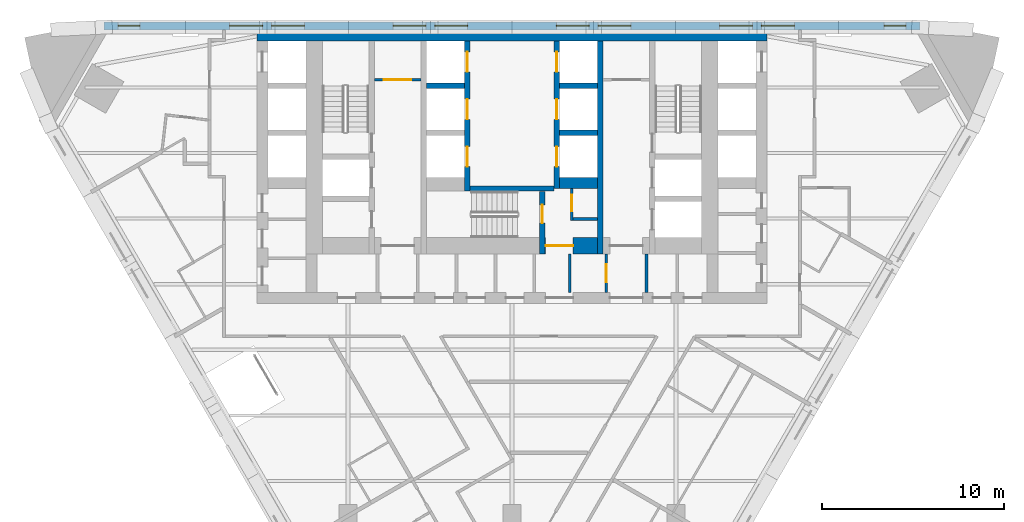
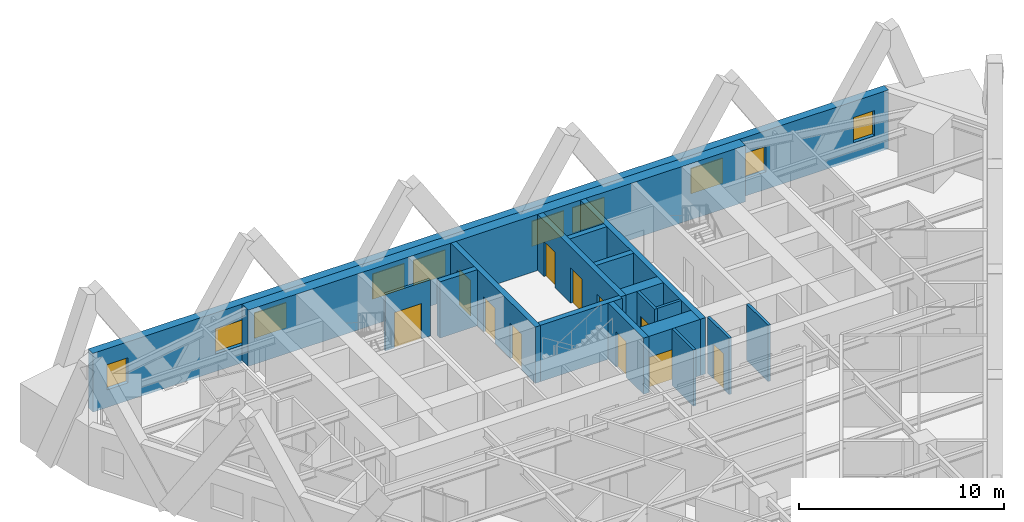
# One storey, part 8 of 12: 18 walls, 11 doors, 10 windows, 21 openings.
"""IFC4 building model written with IfcOpenShell, lengths in metres."""

from ifc_helpers import new_model, si_unit, direction, frame, frame_2d, origin, place, context, subcontext, project, spatial, polyline, rectangle, outline, extrude, material, layer, layer_set, type_object, element, fill, save


model = new_model("IFC4")

# Units and contexts
model_context = context("Model", 3, precision=1e-05, world=origin(), true_north=direction((0.0, 1.0)))
body_context = subcontext(model_context, "Body", "Model", "MODEL_VIEW")
ifc_project = project(units=[si_unit("LENGTHUNIT", "METRE"), si_unit("AREAUNIT", "SQUARE_METRE"), si_unit("VOLUMEUNIT", "CUBIC_METRE"), si_unit("PLANEANGLEUNIT", "RADIAN"), si_unit("MASSUNIT", "GRAM", prefix="KILO")], contexts=[model_context])

# Site, building, storey
site_placement = place(None, origin())
site = spatial("IfcSite", under=ifc_project, at=site_placement, CompositionType="ELEMENT")
building_placement = place(site_placement, origin())
building = spatial("IfcBuilding", under=site, at=building_placement, Name="Aloe Facet Convention Tower", CompositionType="ELEMENT")
storey_placement = place(building_placement, frame((0.0, 0.0, 56.0)))
storey = spatial("IfcBuildingStorey", under=building, at=storey_placement, Name="L12", CompositionType="ELEMENT", Elevation=56.0)

# Wall, opening, door
ifc_material_1 = material(Name="Concrete blockwork partition", Category="masonry")
ifc_layer_1 = layer(ifc_material_1, 0.14990234375)
ifc_layer_set_1 = layer_set([ifc_layer_1], Name="CR-W-PART150")
wall_type_1 = type_object("IfcWallType", Name="CR-W-PART150", PredefinedType="PARTITIONING", material=ifc_layer_set_1)
wall_1_placement = place(storey_placement, frame((72.449951171875, 131.824951171875, 0.0), z_axis=(0.0, 0.0, 1.0), x_axis=(1.0, 0.0, 0.0)))
wall_1 = element("IfcWall", 1, at=wall_1_placement, inside=storey, type_object=wall_type_1, Name="Core partition L12-015", PredefinedType="PARTITIONING", context=body_context, shape_type="SweptSolid", body=[
    extrude(rectangle(XDim=2.550048828125, YDim=0.14990234375, at=frame_2d((1.27490234375, 0.0))), origin(), (0.0, 0.0, 1.0), 3.35009765625),
])
opening_1_placement = place(wall_1_placement, frame((0.52490234375, 0.0, 0.0)))
opening_1 = element("IfcOpeningElement", 2, at=opening_1_placement, cuts=wall_1, Name="Opening L12-CD22", PredefinedType="OPENING", context=body_context, shape_type="SweptSolid", body=[
    extrude(rectangle(XDim=1.5, YDim=2.10009765625, at=frame_2d((0.75, 1.050048828125))), frame((0.0, 0.0849609375, 0.0), z_axis=(0.0, -1.0, 0.0), x_axis=(1.0, 0.0, 0.0)), (0.0, 0.0, 1.0), 0.169921875),
])
ifc_material_2 = material(Name="Steel fire-resisting door set FD60", Category="steel")
door_type_1 = type_object("IfcDoorType", Name="CR-D-REFUGE-1500-FD60-DD", OperationType="DOUBLE_DOOR_DOUBLE_SWING", PredefinedType="DOOR", material=ifc_material_2)
door_1_placement = place(opening_1_placement, origin())
door_1 = element("IfcDoor", 3, at=door_1_placement, inside=storey, type_object=door_type_1, Name="Core door L12-CD22", OperationType="DOUBLE_DOOR_DOUBLE_SWING", OverallHeight=2.10009765625, OverallWidth=1.5, PredefinedType="DOOR", context=body_context, shape_type="SweptSolid", body=[
    extrude(rectangle(XDim=1.5, YDim=2.10009765625, at=frame_2d((0.75, 1.050048828125))), frame((0.0, 0.02490234375, 0.0), z_axis=(0.0, -1.0, 0.0), x_axis=(1.0, 0.0, 0.0)), (0.0, 0.0, 1.0), 0.050048828125),
])
fill(opening_1, door_1)

# Wall
wall_2_placement = place(storey_placement, frame((83.175048828125, 122.25, 0.0), z_axis=(0.0, 0.0, 1.0), x_axis=(0.0, -1.0, 0.0)))
element("IfcWall", 4, at=wall_2_placement, inside=storey, type_object=wall_type_1, Name="Core partition L12-035", PredefinedType="PARTITIONING", context=body_context, shape_type="SweptSolid", body=[
    extrude(rectangle(XDim=2.10009765625, YDim=0.14990234375, at=frame_2d((1.050048828125, 0.0))), origin(), (0.0, 0.0, 1.0), 3.35009765625),
])

# Wall, opening, door
wall_3_placement = place(storey_placement, frame((83.27490234375, 125.85009765625, 0.0), z_axis=(0.0, 0.0, 1.0), x_axis=(0.0, -1.0, 0.0)))
wall_3 = element("IfcWall", 5, at=wall_3_placement, inside=storey, type_object=wall_type_1, Name="Core partition L12-036", PredefinedType="PARTITIONING", context=body_context, shape_type="SweptSolid", body=[
    extrude(rectangle(XDim=1.75, YDim=0.14990234375, at=frame_2d((0.875, 0.0))), origin(), (0.0, 0.0, 1.0), 3.35009765625),
])
opening_2_placement = place(wall_3_placement, frame((0.35009765625, 0.0, 0.0)))
opening_2 = element("IfcOpeningElement", 6, at=opening_2_placement, cuts=wall_3, Name="Opening L12-CD20", PredefinedType="OPENING", context=body_context, shape_type="SweptSolid", body=[
    extrude(rectangle(XDim=0.89990234375, YDim=2.10009765625, at=frame_2d((0.449951171875, 1.050048828125))), frame((0.0, 0.0849609375, 0.0), z_axis=(0.0, -1.0, 0.0), x_axis=(1.0, 0.0, 0.0)), (0.0, 0.0, 1.0), 0.169921875),
])
ifc_material_3 = material(Name="Steel fire-resisting door set FD60", Category="steel")
door_type_2 = type_object("IfcDoorType", Name="CR-D-REFUGE-900-FD60-SRIGHT", OperationType="SINGLE_SWING_RIGHT", PredefinedType="DOOR", material=ifc_material_3)
door_2_placement = place(opening_2_placement, origin())
door_2 = element("IfcDoor", 7, at=door_2_placement, inside=storey, type_object=door_type_2, Name="Core door L12-CD20", OperationType="SINGLE_SWING_RIGHT", OverallHeight=2.10009765625, OverallWidth=0.89990234375, PredefinedType="DOOR", context=body_context, shape_type="SweptSolid", body=[
    extrude(rectangle(XDim=0.89990234375, YDim=2.10009765625, at=frame_2d((0.449951171875, 1.050048828125))), frame((0.0, 0.02490234375, 0.0), z_axis=(0.0, -1.0, 0.0), x_axis=(1.0, 0.0, 0.0)), (0.0, 0.0, 1.0), 0.050048828125),
])
fill(opening_2, door_2)

# Wall
wall_4_placement = place(storey_placement, frame((83.35009765625, 124.175048828125, 0.0), z_axis=(0.0, 0.0, 1.0), x_axis=(1.0, 0.0, 0.0)))
element("IfcWall", 8, at=wall_4_placement, inside=storey, type_object=wall_type_1, Name="Core partition L12-037", PredefinedType="PARTITIONING", context=body_context, shape_type="SweptSolid", body=[
    extrude(rectangle(XDim=1.349853515625, YDim=0.14990234375, at=frame_2d((0.6748046875, 0.0))), origin(), (0.0, 0.0, 1.0), 3.35009765625),
])

# Wall, opening, door
wall_5_placement = place(storey_placement, frame((85.175048828125, 122.25, 0.0), z_axis=(0.0, 0.0, 1.0), x_axis=(0.0, -1.0, 0.0)))
wall_5 = element("IfcWall", 9, at=wall_5_placement, inside=storey, type_object=wall_type_1, Name="Core partition L12-041", PredefinedType="PARTITIONING", context=body_context, shape_type="SweptSolid", body=[
    extrude(rectangle(XDim=2.10009765625, YDim=0.14990234375, at=frame_2d((1.050048828125, 0.0))), origin(), (0.0, 0.0, 1.0), 3.35009765625),
])
opening_3_placement = place(wall_5_placement, frame((0.550048828125, 0.0, 0.0)))
opening_3 = element("IfcOpeningElement", 10, at=opening_3_placement, cuts=wall_5, Name="Opening L12-CD28", PredefinedType="OPENING", context=body_context, shape_type="SweptSolid", body=[
    extrude(rectangle(XDim=1.0, YDim=2.10009765625, at=frame_2d((0.5, 1.050048828125))), frame((0.0, 0.0849609375, 0.0), z_axis=(0.0, -1.0, 0.0), x_axis=(1.0, 0.0, 0.0)), (0.0, 0.0, 1.0), 0.169921875),
])
ifc_material_4 = material(Name="Steel fire-resisting door set FD60", Category="steel")
door_type_3 = type_object("IfcDoorType", Name="CR-D-ROOM-1000-FD60-SRIGHT", OperationType="SINGLE_SWING_RIGHT", PredefinedType="DOOR", material=ifc_material_4)
door_3_placement = place(opening_3_placement, origin())
door_3 = element("IfcDoor", 11, at=door_3_placement, inside=storey, type_object=door_type_3, Name="Core door L12-CD28", OperationType="SINGLE_SWING_RIGHT", OverallHeight=2.10009765625, OverallWidth=1.0, PredefinedType="DOOR", context=body_context, shape_type="SweptSolid", body=[
    extrude(rectangle(XDim=1.0, YDim=2.10009765625, at=frame_2d((0.5, 1.050048828125))), frame((0.0, 0.02490234375, 0.0), z_axis=(0.0, -1.0, 0.0), x_axis=(1.0, 0.0, 0.0)), (0.0, 0.0, 1.0), 0.050048828125),
])
fill(opening_3, door_3)

# Walls
wall_6_placement = place(storey_placement, frame((87.375, 122.25, 0.0), z_axis=(0.0, 0.0, 1.0), x_axis=(0.0, -1.0, 0.0)))
element("IfcWall", 12, at=wall_6_placement, inside=storey, type_object=wall_type_1, Name="Core partition L12-042", PredefinedType="PARTITIONING", context=body_context, shape_type="SweptSolid", body=[
    extrude(rectangle(XDim=2.10009765625, YDim=0.14990234375, at=frame_2d((1.050048828125, 0.0))), origin(), (0.0, 0.0, 1.0), 3.35009765625),
])
ifc_material_5 = material(Name="Concrete C80/95", Category="concrete")
ifc_layer_2 = layer(ifc_material_5, 0.300048828125)
ifc_layer_set_2 = layer_set([ifc_layer_2], Name="CR-W-RC300-C8095")
wall_type_2 = type_object("IfcWallType", Name="CR-W-RC300-C8095", PredefinedType="SOLIDWALL", material=ifc_layer_set_2)
wall_7_placement = place(storey_placement, frame((75.300048828125, 131.5, 0.0), z_axis=(0.0, 0.0, 1.0), x_axis=(1.0, 0.0, 0.0)))
element("IfcWall", 13, at=wall_7_placement, inside=storey, type_object=wall_type_2, Name="Core wall L12-020", PredefinedType="SOLIDWALL", context=body_context, shape_type="SweptSolid", body=[
    extrude(rectangle(XDim=2.099853515625, YDim=0.300048828125, at=frame_2d((1.0498046875, 0.0))), origin(), (0.0, 0.0, 1.0), 3.35009765625),
])

# Wall, openings, doors
wall_8_placement = place(storey_placement, frame((77.550048828125, 133.949951171875, 0.0), z_axis=(0.0, 0.0, 1.0), x_axis=(0.0, -1.0, 0.0)))
wall_8 = element("IfcWall", 14, at=wall_8_placement, inside=storey, type_object=wall_type_2, Name="Core wall L12-025", PredefinedType="SOLIDWALL", context=body_context, shape_type="SweptSolid", body=[
    extrude(rectangle(XDim=8.25, YDim=0.300048828125, at=frame_2d((4.125, 0.0))), origin(), (0.0, 0.0, 1.0), 3.35009765625),
])
opening_4_placement = place(wall_8_placement, frame((0.60009765625, 0.0, 0.0)))
opening_4 = element("IfcOpeningElement", 15, at=opening_4_placement, cuts=wall_8, Name="Opening LD-A1-L12", PredefinedType="OPENING", context=body_context, shape_type="SweptSolid", body=[
    extrude(rectangle(XDim=1.10009765625, YDim=2.10009765625, at=frame_2d((0.550048828125, 1.050048828125))), frame((0.0, 0.16015625, 0.0), z_axis=(0.0, -1.0, 0.0), x_axis=(1.0, 0.0, 0.0)), (0.0, 0.0, 1.0), 0.320068359375),
])
opening_5_placement = place(wall_8_placement, frame((3.199951171875, 0.0, 0.0)))
opening_5 = element("IfcOpeningElement", 16, at=opening_5_placement, cuts=wall_8, Name="Opening LD-A2-L12", PredefinedType="OPENING", context=body_context, shape_type="SweptSolid", body=[
    extrude(rectangle(XDim=1.10009765625, YDim=2.10009765625, at=frame_2d((0.550048828125, 1.050048828125))), frame((0.0, 0.16015625, 0.0), z_axis=(0.0, -1.0, 0.0), x_axis=(1.0, 0.0, 0.0)), (0.0, 0.0, 1.0), 0.320068359375),
])
opening_6_placement = place(wall_8_placement, frame((5.800048828125, 0.0, 0.0)))
opening_6 = element("IfcOpeningElement", 17, at=opening_6_placement, cuts=wall_8, Name="Opening LD-A3-L12", PredefinedType="OPENING", context=body_context, shape_type="SweptSolid", body=[
    extrude(rectangle(XDim=1.10009765625, YDim=2.10009765625, at=frame_2d((0.550048828125, 1.050048828125))), frame((0.0, 0.16015625, 0.0), z_axis=(0.0, -1.0, 0.0), x_axis=(1.0, 0.0, 0.0)), (0.0, 0.0, 1.0), 0.320068359375),
])
ifc_material_6 = material(Name="Stainless steel sliding landing door", Category="steel")
door_type_4 = type_object("IfcDoorType", Name="CR-LD-1100-FD60-RIGHT", OperationType="SLIDING_TO_RIGHT", PredefinedType="DOOR", material=ifc_material_6)
door_4_placement = place(opening_4_placement, origin())
door_4 = element("IfcDoor", 18, at=door_4_placement, inside=storey, type_object=door_type_4, Name="Landing door A1 L12", OperationType="SLIDING_TO_RIGHT", OverallHeight=2.10009765625, OverallWidth=1.10009765625, PredefinedType="DOOR", context=body_context, shape_type="SweptSolid", body=[
    extrude(rectangle(XDim=1.10009765625, YDim=2.10009765625, at=frame_2d((0.550048828125, 1.050048828125))), frame((0.0, 0.02490234375, 0.0), z_axis=(0.0, -1.0, 0.0), x_axis=(1.0, 0.0, 0.0)), (0.0, 0.0, 1.0), 0.050048828125),
])
fill(opening_4, door_4)
door_5_placement = place(opening_5_placement, origin())
door_5 = element("IfcDoor", 19, at=door_5_placement, inside=storey, type_object=door_type_4, Name="Landing door A2 L12", OperationType="SLIDING_TO_RIGHT", OverallHeight=2.10009765625, OverallWidth=1.10009765625, PredefinedType="DOOR", context=body_context, shape_type="SweptSolid", body=[
    extrude(rectangle(XDim=1.10009765625, YDim=2.10009765625, at=frame_2d((0.550048828125, 1.050048828125))), frame((0.0, 0.02490234375, 0.0), z_axis=(0.0, -1.0, 0.0), x_axis=(1.0, 0.0, 0.0)), (0.0, 0.0, 1.0), 0.050048828125),
])
fill(opening_5, door_5)
door_6_placement = place(opening_6_placement, origin())
door_6 = element("IfcDoor", 20, at=door_6_placement, inside=storey, type_object=door_type_4, Name="Landing door A3 L12", OperationType="SLIDING_TO_RIGHT", OverallHeight=2.10009765625, OverallWidth=1.10009765625, PredefinedType="DOOR", context=body_context, shape_type="SweptSolid", body=[
    extrude(rectangle(XDim=1.10009765625, YDim=2.10009765625, at=frame_2d((0.550048828125, 1.050048828125))), frame((0.0, 0.02490234375, 0.0), z_axis=(0.0, -1.0, 0.0), x_axis=(1.0, 0.0, 0.0)), (0.0, 0.0, 1.0), 0.050048828125),
])
fill(opening_6, door_6)

# Wall
wall_9_placement = place(storey_placement, frame((77.699951171875, 125.85009765625, 0.0), z_axis=(0.0, 0.0, 1.0), x_axis=(1.0, 0.0, 0.0)))
element("IfcWall", 21, at=wall_9_placement, inside=storey, type_object=wall_type_2, Name="Core wall L12-026", PredefinedType="SOLIDWALL", context=body_context, shape_type="SweptSolid", body=[
    extrude(rectangle(XDim=4.60009765625, YDim=0.300048828125, at=frame_2d((2.300048828125, 0.0))), origin(), (0.0, 0.0, 1.0), 3.35009765625),
])

# Wall, opening, door
wall_10_placement = place(storey_placement, frame((81.64990234375, 125.699951171875, 0.0), z_axis=(0.0, 0.0, 1.0), x_axis=(0.0, -1.0, 0.0)))
wall_10 = element("IfcWall", 22, at=wall_10_placement, inside=storey, type_object=wall_type_2, Name="Core wall L12-029", PredefinedType="SOLIDWALL", context=body_context, shape_type="SweptSolid", body=[
    extrude(rectangle(XDim=3.449951171875, YDim=0.300048828125, at=frame_2d((1.72509765625, 0.0))), origin(), (0.0, 0.0, 1.0), 3.35009765625),
])
opening_7_placement = place(wall_10_placement, frame((0.75, 0.0, 0.0)))
opening_7 = element("IfcOpeningElement", 23, at=opening_7_placement, cuts=wall_10, Name="Opening L12-CD33", PredefinedType="OPENING", context=body_context, shape_type="SweptSolid", body=[
    extrude(rectangle(XDim=1.0, YDim=2.10009765625, at=frame_2d((0.5, 1.050048828125))), frame((0.0, 0.16015625, 0.0), z_axis=(0.0, -1.0, 0.0), x_axis=(1.0, 0.0, 0.0)), (0.0, 0.0, 1.0), 0.320068359375),
])
ifc_material_7 = material(Name="Steel fire-resisting door set FD120", Category="steel")
door_type_5 = type_object("IfcDoorType", Name="CR-D-STAIR-1000-FD120-SLEFT", OperationType="SINGLE_SWING_LEFT", PredefinedType="DOOR", material=ifc_material_7)
door_7_placement = place(opening_7_placement, origin())
door_7 = element("IfcDoor", 24, at=door_7_placement, inside=storey, type_object=door_type_5, Name="Core door L12-CD33", OperationType="SINGLE_SWING_LEFT", OverallHeight=2.10009765625, OverallWidth=1.0, PredefinedType="DOOR", context=body_context, shape_type="SweptSolid", body=[
    extrude(rectangle(XDim=1.0, YDim=2.10009765625, at=frame_2d((0.5, 1.050048828125))), frame((0.0, 0.02490234375, 0.0), z_axis=(0.0, -1.0, 0.0), x_axis=(1.0, 0.0, 0.0)), (0.0, 0.0, 1.0), 0.050048828125),
])
fill(opening_7, door_7)

# Wall, openings, doors
wall_11_placement = place(storey_placement, frame((82.449951171875, 133.949951171875, 0.0), z_axis=(0.0, 0.0, 1.0), x_axis=(0.0, -1.0, 0.0)))
wall_11 = element("IfcWall", 25, at=wall_11_placement, inside=storey, type_object=wall_type_2, Name="Core wall L12-031", PredefinedType="SOLIDWALL", context=body_context, shape_type="SweptSolid", body=[
    extrude(rectangle(XDim=8.099853515625, YDim=0.300048828125, at=frame_2d((4.0498046875, 0.0))), origin(), (0.0, 0.0, 1.0), 3.35009765625),
])
opening_8_placement = place(wall_11_placement, frame((0.60009765625, 0.0, 0.0)))
opening_8 = element("IfcOpeningElement", 26, at=opening_8_placement, cuts=wall_11, Name="Opening LD-A4-L12", PredefinedType="OPENING", context=body_context, shape_type="SweptSolid", body=[
    extrude(rectangle(XDim=1.10009765625, YDim=2.10009765625, at=frame_2d((0.550048828125, 1.050048828125))), frame((0.0, 0.16015625, 0.0), z_axis=(0.0, -1.0, 0.0), x_axis=(1.0, 0.0, 0.0)), (0.0, 0.0, 1.0), 0.320068359375),
])
opening_9_placement = place(wall_11_placement, frame((3.199951171875, 0.0, 0.0)))
opening_9 = element("IfcOpeningElement", 27, at=opening_9_placement, cuts=wall_11, Name="Opening LD-A5-L12", PredefinedType="OPENING", context=body_context, shape_type="SweptSolid", body=[
    extrude(rectangle(XDim=1.10009765625, YDim=2.10009765625, at=frame_2d((0.550048828125, 1.050048828125))), frame((0.0, 0.16015625, 0.0), z_axis=(0.0, -1.0, 0.0), x_axis=(1.0, 0.0, 0.0)), (0.0, 0.0, 1.0), 0.320068359375),
])
opening_10_placement = place(wall_11_placement, frame((5.800048828125, 0.0, 0.0)))
opening_10 = element("IfcOpeningElement", 28, at=opening_10_placement, cuts=wall_11, Name="Opening LD-A6-L12", PredefinedType="OPENING", context=body_context, shape_type="SweptSolid", body=[
    extrude(rectangle(XDim=1.10009765625, YDim=2.10009765625, at=frame_2d((0.550048828125, 1.050048828125))), frame((0.0, 0.16015625, 0.0), z_axis=(0.0, -1.0, 0.0), x_axis=(1.0, 0.0, 0.0)), (0.0, 0.0, 1.0), 0.320068359375),
])
ifc_material_8 = material(Name="Stainless steel sliding landing door", Category="steel")
door_type_6 = type_object("IfcDoorType", Name="CR-LD-1100-FD60-_LEFT", OperationType="SLIDING_TO_LEFT", PredefinedType="DOOR", material=ifc_material_8)
door_8_placement = place(opening_8_placement, origin())
door_8 = element("IfcDoor", 29, at=door_8_placement, inside=storey, type_object=door_type_6, Name="Landing door A4 L12", OperationType="SLIDING_TO_LEFT", OverallHeight=2.10009765625, OverallWidth=1.10009765625, PredefinedType="DOOR", context=body_context, shape_type="SweptSolid", body=[
    extrude(rectangle(XDim=1.10009765625, YDim=2.10009765625, at=frame_2d((0.550048828125, 1.050048828125))), frame((0.0, 0.02490234375, 0.0), z_axis=(0.0, -1.0, 0.0), x_axis=(1.0, 0.0, 0.0)), (0.0, 0.0, 1.0), 0.050048828125),
])
fill(opening_8, door_8)
door_9_placement = place(opening_9_placement, origin())
door_9 = element("IfcDoor", 30, at=door_9_placement, inside=storey, type_object=door_type_6, Name="Landing door A5 L12", OperationType="SLIDING_TO_LEFT", OverallHeight=2.10009765625, OverallWidth=1.10009765625, PredefinedType="DOOR", context=body_context, shape_type="SweptSolid", body=[
    extrude(rectangle(XDim=1.10009765625, YDim=2.10009765625, at=frame_2d((0.550048828125, 1.050048828125))), frame((0.0, 0.02490234375, 0.0), z_axis=(0.0, -1.0, 0.0), x_axis=(1.0, 0.0, 0.0)), (0.0, 0.0, 1.0), 0.050048828125),
])
fill(opening_9, door_9)
door_10_placement = place(opening_10_placement, origin())
door_10 = element("IfcDoor", 31, at=door_10_placement, inside=storey, type_object=door_type_6, Name="Landing door A6 L12", OperationType="SLIDING_TO_LEFT", OverallHeight=2.10009765625, OverallWidth=1.10009765625, PredefinedType="DOOR", context=body_context, shape_type="SweptSolid", body=[
    extrude(rectangle(XDim=1.10009765625, YDim=2.10009765625, at=frame_2d((0.550048828125, 1.050048828125))), frame((0.0, 0.02490234375, 0.0), z_axis=(0.0, -1.0, 0.0), x_axis=(1.0, 0.0, 0.0)), (0.0, 0.0, 1.0), 0.050048828125),
])
fill(opening_10, door_10)

# Walls
for number, where, z_axis, x_axis, name in (
    (32, (82.60009765625, 131.5, 0.0), (0.0, 0.0, 1.0), (1.0, 0.0, 0.0), "Core wall L12-032"),
    (33, (82.60009765625, 128.89990234375, 0.0), (0.0, 0.0, 1.0), (1.0, 0.0, 0.0), "Core wall L12-033"),
):
    element("IfcWall", number, at=place(storey_placement, frame(where, z_axis=z_axis, x_axis=x_axis)), inside=storey, type_object=wall_type_2, Name=name, PredefinedType="SOLIDWALL", context=body_context, shape_type="SweptSolid", body=[
        extrude(rectangle(XDim=2.099853515625, YDim=0.300048828125, at=frame_2d((1.0498046875, 0.0))), origin(), (0.0, 0.0, 1.0), 3.35009765625),
    ])
wall_12_placement = place(storey_placement, frame((84.85009765625, 133.949951171875, 0.0), z_axis=(0.0, 0.0, 1.0), x_axis=(0.0, -1.0, 0.0)))
element("IfcWall", 34, at=wall_12_placement, inside=storey, type_object=wall_type_2, Name="Core wall L12-038", PredefinedType="SOLIDWALL", context=body_context, shape_type="SweptSolid", body=[
    extrude(rectangle(XDim=11.699951171875, YDim=0.300048828125, at=frame_2d((5.85009765625, 0.0))), origin(), (0.0, 0.0, 1.0), 3.35009765625),
])
ifc_material_9 = material(Name="Concrete C80/95", Category="concrete")
ifc_layer_3 = layer(ifc_material_9, 0.60009765625)
ifc_layer_set_3 = layer_set([ifc_layer_3], Name="CR-W-RC600-C8095")
wall_type_3 = type_object("IfcWallType", Name="CR-W-RC600-C8095", PredefinedType="SOLIDWALL", material=ifc_layer_set_3)
wall_13_placement = place(storey_placement, frame((66.0, 134.25, 0.0), z_axis=(0.0, 0.0, 1.0), x_axis=(1.0, 0.0, 0.0)))
element("IfcWall", 35, at=wall_13_placement, inside=storey, type_object=wall_type_3, Name="Core wall L12-001", PredefinedType="SOLIDWALL", context=body_context, shape_type="SweptSolid", body=[
    extrude(rectangle(XDim=28.0, YDim=0.60009765625, at=frame_2d((14.0, 0.0))), origin(), (0.0, 0.0, 1.0), 3.35009765625),
])
wall_14_placement = place(storey_placement, frame((82.60009765625, 126.14990234375, 0.0), z_axis=(0.0, 0.0, 1.0), x_axis=(1.0, 0.0, 0.0)))
element("IfcWall", 36, at=wall_14_placement, inside=storey, type_object=wall_type_3, Name="Core wall L12-034", PredefinedType="SOLIDWALL", context=body_context, shape_type="SweptSolid", body=[
    extrude(rectangle(XDim=2.099853515625, YDim=0.60009765625, at=frame_2d((1.0498046875, 0.0))), origin(), (0.0, 0.0, 1.0), 3.35009765625),
])

# Wall, opening, door
ifc_material_10 = material(Name="Concrete C80/95", Category="concrete")
ifc_layer_4 = layer(ifc_material_10, 0.89990234375)
ifc_layer_set_4 = layer_set([ifc_layer_4], Name="CR-W-RC900-C8095")
wall_type_4 = type_object("IfcWallType", Name="CR-W-RC900-C8095", PredefinedType="SOLIDWALL", material=ifc_layer_set_4)
wall_15_placement = place(storey_placement, frame((81.800048828125, 122.699951171875, 0.0), z_axis=(0.0, 0.0, 1.0), x_axis=(1.0, 0.0, 0.0)))
wall_15 = element("IfcWall", 37, at=wall_15_placement, inside=storey, type_object=wall_type_4, Name="Core wall L12-030", PredefinedType="SOLIDWALL", context=body_context, shape_type="SweptSolid", body=[
    extrude(rectangle(XDim=2.89990234375, YDim=0.89990234375, at=frame_2d((1.449951171875, 0.0))), origin(), (0.0, 0.0, 1.0), 3.35009765625),
])
opening_11_placement = place(wall_15_placement, frame((0.050048828125, 0.0, 0.0)))
opening_11 = element("IfcOpeningElement", 38, at=opening_11_placement, cuts=wall_15, Name="Opening L12-CD16", PredefinedType="OPENING", context=body_context, shape_type="SweptSolid", body=[
    extrude(rectangle(XDim=1.5, YDim=2.10009765625, at=frame_2d((0.75, 1.050048828125))), frame((0.0, 0.4599609375, 0.0), z_axis=(0.0, -1.0, 0.0), x_axis=(1.0, 0.0, 0.0)), (0.0, 0.0, 1.0), 0.919921875),
])
ifc_material_11 = material(Name="Steel fire-resisting door set FD60", Category="steel")
door_type_7 = type_object("IfcDoorType", Name="CR-D-EXIT-1500-FD60-DD", OperationType="DOUBLE_DOOR_DOUBLE_SWING", PredefinedType="DOOR", material=ifc_material_11)
door_11_placement = place(opening_11_placement, origin())
door_11 = element("IfcDoor", 39, at=door_11_placement, inside=storey, type_object=door_type_7, Name="Core door L12-CD16", OperationType="DOUBLE_DOOR_DOUBLE_SWING", OverallHeight=2.10009765625, OverallWidth=1.5, PredefinedType="DOOR", context=body_context, shape_type="SweptSolid", body=[
    extrude(rectangle(XDim=1.5, YDim=2.10009765625, at=frame_2d((0.75, 1.050048828125))), frame((0.0, 0.02490234375, 0.0), z_axis=(0.0, -1.0, 0.0), x_axis=(1.0, 0.0, 0.0)), (0.0, 0.0, 1.0), 0.050048828125),
])
fill(opening_11, door_11)

# Wall, openings, windows
ifc_material_12 = material(Name="Precast concrete C40/50", Category="concrete")
ifc_layer_5 = layer(ifc_material_12, 0.449951171875)
ifc_layer_set_5 = layer_set([ifc_layer_5], Name="EV-WALL-STONE")
wall_type_5 = type_object("IfcWallType", Name="EV-WALL-STONE", PredefinedType="SOLIDWALL", material=ifc_layer_set_5)
wall_16_placement = place(storey_placement, frame((102.39990234375, 134.77490234375, -0.14990234375), z_axis=(0.0, 0.0, 1.0), x_axis=(-1.0, 0.0, 0.0)))
wall_16 = element("IfcWall", 40, at=wall_16_placement, inside=storey, type_object=wall_type_5, Name="EW-L12-N01", PredefinedType="SOLIDWALL", context=body_context, shape_type="SweptSolid", body=[
    extrude(outline(polyline([(44.800048828125, 0.0), (44.800048828125, 3.5), (0.0, 3.5), (0.0, 0.0), (44.800048828125, 0.0)])), frame((0.0, 0.22509765625, 0.0), z_axis=(0.0, -1.0, 0.0), x_axis=(1.0, 0.0, 0.0)), (0.0, 0.0, 1.0), 0.449951171875),
])
opening_12_placement = place(wall_16_placement, frame((0.7861328125, 0.0, 1.050048828125)))
opening_12 = element("IfcOpeningElement", 41, at=opening_12_placement, cuts=wall_16, Name="Opening W-L12-N01", PredefinedType="OPENING", context=body_context, shape_type="SweptSolid", body=[
    extrude(rectangle(XDim=1.199951171875, YDim=1.5, at=frame_2d((0.60009765625, 0.75))), frame((0.0, 0.23486328125, 0.0), z_axis=(0.0, -1.0, 0.0), x_axis=(1.0, 0.0, 0.0)), (0.0, 0.0, 1.0), 0.469970703125),
])
opening_13_placement = place(wall_16_placement, frame((6.909912109375, 0.0, 1.050048828125)))
opening_13 = element("IfcOpeningElement", 42, at=opening_13_placement, cuts=wall_16, Name="Opening W-L12-N02", PredefinedType="OPENING", context=body_context, shape_type="SweptSolid", body=[
    extrude(rectangle(XDim=1.800048828125, YDim=1.5, at=frame_2d((0.89990234375, 0.75))), frame((0.0, 0.23486328125, 0.0), z_axis=(0.0, -1.0, 0.0), x_axis=(1.0, 0.0, 0.0)), (0.0, 0.0, 1.0), 0.469970703125),
])
opening_14_placement = place(wall_16_placement, frame((9.2099609375, 0.0, 1.050048828125)))
opening_14 = element("IfcOpeningElement", 43, at=opening_14_placement, cuts=wall_16, Name="Opening W-L12-N03", PredefinedType="OPENING", context=body_context, shape_type="SweptSolid", body=[
    extrude(rectangle(XDim=1.800048828125, YDim=1.5, at=frame_2d((0.89990234375, 0.75))), frame((0.0, 0.23486328125, 0.0), z_axis=(0.0, -1.0, 0.0), x_axis=(1.0, 0.0, 0.0)), (0.0, 0.0, 1.0), 0.469970703125),
])
opening_15_placement = place(wall_16_placement, frame((15.8701171875, 0.0, 1.050048828125)))
opening_15 = element("IfcOpeningElement", 44, at=opening_15_placement, cuts=wall_16, Name="Opening W-L12-N04", PredefinedType="OPENING", context=body_context, shape_type="SweptSolid", body=[
    extrude(rectangle(XDim=1.800048828125, YDim=1.5, at=frame_2d((0.89990234375, 0.75))), frame((0.0, 0.23486328125, 0.0), z_axis=(0.0, -1.0, 0.0), x_axis=(1.0, 0.0, 0.0)), (0.0, 0.0, 1.0), 0.469970703125),
])
opening_16_placement = place(wall_16_placement, frame((18.169921875, 0.0, 1.050048828125)))
opening_16 = element("IfcOpeningElement", 45, at=opening_16_placement, cuts=wall_16, Name="Opening W-L12-N05", PredefinedType="OPENING", context=body_context, shape_type="SweptSolid", body=[
    extrude(rectangle(XDim=1.800048828125, YDim=1.5, at=frame_2d((0.89990234375, 0.75))), frame((0.0, 0.23486328125, 0.0), z_axis=(0.0, -1.0, 0.0), x_axis=(1.0, 0.0, 0.0)), (0.0, 0.0, 1.0), 0.469970703125),
])
opening_17_placement = place(wall_16_placement, frame((24.830078125, 0.0, 1.050048828125)))
opening_17 = element("IfcOpeningElement", 46, at=opening_17_placement, cuts=wall_16, Name="Opening W-L12-N06", PredefinedType="OPENING", context=body_context, shape_type="SweptSolid", body=[
    extrude(rectangle(XDim=1.800048828125, YDim=1.5, at=frame_2d((0.89990234375, 0.75))), frame((0.0, 0.23486328125, 0.0), z_axis=(0.0, -1.0, 0.0), x_axis=(1.0, 0.0, 0.0)), (0.0, 0.0, 1.0), 0.469970703125),
])
opening_18_placement = place(wall_16_placement, frame((27.1298828125, 0.0, 1.050048828125)))
opening_18 = element("IfcOpeningElement", 47, at=opening_18_placement, cuts=wall_16, Name="Opening W-L12-N07", PredefinedType="OPENING", context=body_context, shape_type="SweptSolid", body=[
    extrude(rectangle(XDim=1.800048828125, YDim=1.5, at=frame_2d((0.89990234375, 0.75))), frame((0.0, 0.23486328125, 0.0), z_axis=(0.0, -1.0, 0.0), x_axis=(1.0, 0.0, 0.0)), (0.0, 0.0, 1.0), 0.469970703125),
])
opening_19_placement = place(wall_16_placement, frame((33.7900390625, 0.0, 1.050048828125)))
opening_19 = element("IfcOpeningElement", 48, at=opening_19_placement, cuts=wall_16, Name="Opening W-L12-N08", PredefinedType="OPENING", context=body_context, shape_type="SweptSolid", body=[
    extrude(rectangle(XDim=1.800048828125, YDim=1.5, at=frame_2d((0.89990234375, 0.75))), frame((0.0, 0.23486328125, 0.0), z_axis=(0.0, -1.0, 0.0), x_axis=(1.0, 0.0, 0.0)), (0.0, 0.0, 1.0), 0.469970703125),
])
opening_20_placement = place(wall_16_placement, frame((36.090087890625, 0.0, 1.050048828125)))
opening_20 = element("IfcOpeningElement", 49, at=opening_20_placement, cuts=wall_16, Name="Opening W-L12-N09", PredefinedType="OPENING", context=body_context, shape_type="SweptSolid", body=[
    extrude(rectangle(XDim=1.800048828125, YDim=1.5, at=frame_2d((0.89990234375, 0.75))), frame((0.0, 0.23486328125, 0.0), z_axis=(0.0, -1.0, 0.0), x_axis=(1.0, 0.0, 0.0)), (0.0, 0.0, 1.0), 0.469970703125),
])
opening_21_placement = place(wall_16_placement, frame((42.81396484375, 0.0, 1.050048828125)))
opening_21 = element("IfcOpeningElement", 50, at=opening_21_placement, cuts=wall_16, Name="Opening W-L12-N10", PredefinedType="OPENING", context=body_context, shape_type="SweptSolid", body=[
    extrude(rectangle(XDim=1.199951171875, YDim=1.5, at=frame_2d((0.60009765625, 0.75))), frame((0.0, 0.23486328125, 0.0), z_axis=(0.0, -1.0, 0.0), x_axis=(1.0, 0.0, 0.0)), (0.0, 0.0, 1.0), 0.469970703125),
])
ifc_material_13 = material(Name="Aluminium frame, clear double glazing", Category="aluminium")
window_type_1 = type_object("IfcWindowType", Name="EV-WIN-H12", PartitioningType="SINGLE_PANEL", PredefinedType="WINDOW", material=ifc_material_13)
window_1_placement = place(opening_12_placement, origin())
window_1 = element("IfcWindow", 51, at=window_1_placement, inside=storey, type_object=window_type_1, Name="W-L12-N01", OverallHeight=1.5, OverallWidth=1.199951171875, PartitioningType="SINGLE_PANEL", PredefinedType="WINDOW", context=body_context, shape_type="SweptSolid", body=[
    extrude(rectangle(XDim=1.199951171875, YDim=1.5, at=frame_2d((0.60009765625, 0.75))), frame((0.0, 0.030029296875, 0.0), z_axis=(0.0, -1.0, 0.0), x_axis=(1.0, 0.0, 0.0)), (0.0, 0.0, 1.0), 0.06005859375),
])
fill(opening_12, window_1)
window_2_placement = place(opening_21_placement, origin())
window_2 = element("IfcWindow", 52, at=window_2_placement, inside=storey, type_object=window_type_1, Name="W-L12-N10", OverallHeight=1.5, OverallWidth=1.199951171875, PartitioningType="SINGLE_PANEL", PredefinedType="WINDOW", context=body_context, shape_type="SweptSolid", body=[
    extrude(rectangle(XDim=1.199951171875, YDim=1.5, at=frame_2d((0.60009765625, 0.75))), frame((0.0, 0.030029296875, 0.0), z_axis=(0.0, -1.0, 0.0), x_axis=(1.0, 0.0, 0.0)), (0.0, 0.0, 1.0), 0.06005859375),
])
fill(opening_21, window_2)
ifc_material_14 = material(Name="Aluminium frame, clear double glazing", Category="aluminium")
window_type_2 = type_object("IfcWindowType", Name="EV-WIN-H18", PartitioningType="SINGLE_PANEL", PredefinedType="WINDOW", material=ifc_material_14)
window_3_placement = place(opening_13_placement, origin())
window_3 = element("IfcWindow", 53, at=window_3_placement, inside=storey, type_object=window_type_2, Name="W-L12-N02", OverallHeight=1.5, OverallWidth=1.800048828125, PartitioningType="SINGLE_PANEL", PredefinedType="WINDOW", context=body_context, shape_type="SweptSolid", body=[
    extrude(rectangle(XDim=1.800048828125, YDim=1.5, at=frame_2d((0.89990234375, 0.75))), frame((0.0, 0.030029296875, 0.0), z_axis=(0.0, -1.0, 0.0), x_axis=(1.0, 0.0, 0.0)), (0.0, 0.0, 1.0), 0.06005859375),
])
fill(opening_13, window_3)
window_4_placement = place(opening_14_placement, origin())
window_4 = element("IfcWindow", 54, at=window_4_placement, inside=storey, type_object=window_type_2, Name="W-L12-N03", OverallHeight=1.5, OverallWidth=1.800048828125, PartitioningType="SINGLE_PANEL", PredefinedType="WINDOW", context=body_context, shape_type="SweptSolid", body=[
    extrude(rectangle(XDim=1.800048828125, YDim=1.5, at=frame_2d((0.89990234375, 0.75))), frame((0.0, 0.030029296875, 0.0), z_axis=(0.0, -1.0, 0.0), x_axis=(1.0, 0.0, 0.0)), (0.0, 0.0, 1.0), 0.06005859375),
])
fill(opening_14, window_4)
window_5_placement = place(opening_15_placement, origin())
window_5 = element("IfcWindow", 55, at=window_5_placement, inside=storey, type_object=window_type_2, Name="W-L12-N04", OverallHeight=1.5, OverallWidth=1.800048828125, PartitioningType="SINGLE_PANEL", PredefinedType="WINDOW", context=body_context, shape_type="SweptSolid", body=[
    extrude(rectangle(XDim=1.800048828125, YDim=1.5, at=frame_2d((0.89990234375, 0.75))), frame((0.0, 0.030029296875, 0.0), z_axis=(0.0, -1.0, 0.0), x_axis=(1.0, 0.0, 0.0)), (0.0, 0.0, 1.0), 0.06005859375),
])
fill(opening_15, window_5)
window_6_placement = place(opening_16_placement, origin())
window_6 = element("IfcWindow", 56, at=window_6_placement, inside=storey, type_object=window_type_2, Name="W-L12-N05", OverallHeight=1.5, OverallWidth=1.800048828125, PartitioningType="SINGLE_PANEL", PredefinedType="WINDOW", context=body_context, shape_type="SweptSolid", body=[
    extrude(rectangle(XDim=1.800048828125, YDim=1.5, at=frame_2d((0.89990234375, 0.75))), frame((0.0, 0.030029296875, 0.0), z_axis=(0.0, -1.0, 0.0), x_axis=(1.0, 0.0, 0.0)), (0.0, 0.0, 1.0), 0.06005859375),
])
fill(opening_16, window_6)
window_7_placement = place(opening_17_placement, origin())
window_7 = element("IfcWindow", 57, at=window_7_placement, inside=storey, type_object=window_type_2, Name="W-L12-N06", OverallHeight=1.5, OverallWidth=1.800048828125, PartitioningType="SINGLE_PANEL", PredefinedType="WINDOW", context=body_context, shape_type="SweptSolid", body=[
    extrude(rectangle(XDim=1.800048828125, YDim=1.5, at=frame_2d((0.89990234375, 0.75))), frame((0.0, 0.030029296875, 0.0), z_axis=(0.0, -1.0, 0.0), x_axis=(1.0, 0.0, 0.0)), (0.0, 0.0, 1.0), 0.06005859375),
])
fill(opening_17, window_7)
window_8_placement = place(opening_18_placement, origin())
window_8 = element("IfcWindow", 58, at=window_8_placement, inside=storey, type_object=window_type_2, Name="W-L12-N07", OverallHeight=1.5, OverallWidth=1.800048828125, PartitioningType="SINGLE_PANEL", PredefinedType="WINDOW", context=body_context, shape_type="SweptSolid", body=[
    extrude(rectangle(XDim=1.800048828125, YDim=1.5, at=frame_2d((0.89990234375, 0.75))), frame((0.0, 0.030029296875, 0.0), z_axis=(0.0, -1.0, 0.0), x_axis=(1.0, 0.0, 0.0)), (0.0, 0.0, 1.0), 0.06005859375),
])
fill(opening_18, window_8)
window_9_placement = place(opening_19_placement, origin())
window_9 = element("IfcWindow", 59, at=window_9_placement, inside=storey, type_object=window_type_2, Name="W-L12-N08", OverallHeight=1.5, OverallWidth=1.800048828125, PartitioningType="SINGLE_PANEL", PredefinedType="WINDOW", context=body_context, shape_type="SweptSolid", body=[
    extrude(rectangle(XDim=1.800048828125, YDim=1.5, at=frame_2d((0.89990234375, 0.75))), frame((0.0, 0.030029296875, 0.0), z_axis=(0.0, -1.0, 0.0), x_axis=(1.0, 0.0, 0.0)), (0.0, 0.0, 1.0), 0.06005859375),
])
fill(opening_19, window_9)
window_10_placement = place(opening_20_placement, origin())
window_10 = element("IfcWindow", 60, at=window_10_placement, inside=storey, type_object=window_type_2, Name="W-L12-N09", OverallHeight=1.5, OverallWidth=1.800048828125, PartitioningType="SINGLE_PANEL", PredefinedType="WINDOW", context=body_context, shape_type="SweptSolid", body=[
    extrude(rectangle(XDim=1.800048828125, YDim=1.5, at=frame_2d((0.89990234375, 0.75))), frame((0.0, 0.030029296875, 0.0), z_axis=(0.0, -1.0, 0.0), x_axis=(1.0, 0.0, 0.0)), (0.0, 0.0, 1.0), 0.06005859375),
])
fill(opening_20, window_10)

save(model, "model.ifc")
